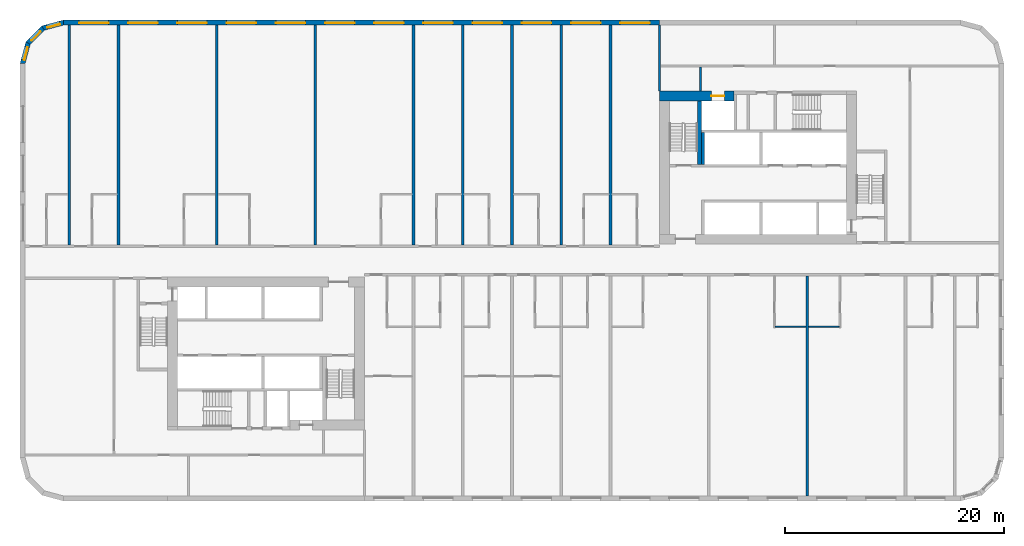
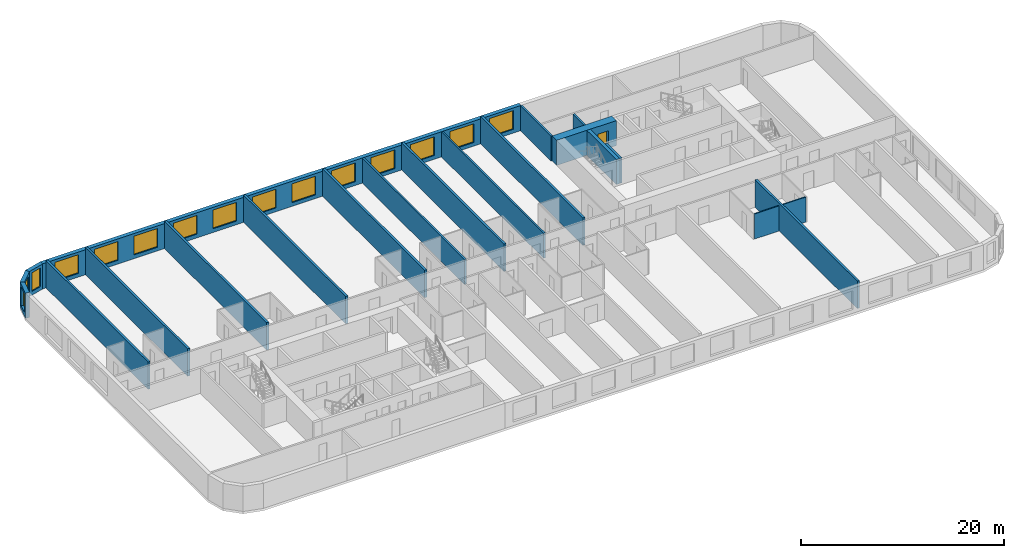
# One storey, part 6 of 12: 21 walls, 15 windows, 1 door, 16 openings.
"""IFC4 building model written with IfcOpenShell, lengths in metres."""

from ifc_helpers import new_model, si_unit, direction, frame, frame_2d, origin, place, context, subcontext, project, spatial, polyline, rectangle, outline, extrude, material, layer, layer_set, type_object, element, fill, save


model = new_model("IFC4")

# Units and contexts
model_context = context("Model", 3, precision=1e-05, world=origin(), true_north=direction((0.0, 1.0)))
body_context = subcontext(model_context, "Body", "Model", "MODEL_VIEW")
ifc_project = project(units=[si_unit("LENGTHUNIT", "METRE"), si_unit("AREAUNIT", "SQUARE_METRE"), si_unit("VOLUMEUNIT", "CUBIC_METRE"), si_unit("PLANEANGLEUNIT", "RADIAN"), si_unit("MASSUNIT", "GRAM", prefix="KILO")], contexts=[model_context])

# Site, building, storey
site_placement = place(None, origin())
site = spatial("IfcSite", under=ifc_project, at=site_placement, CompositionType="ELEMENT")
building_placement = place(site_placement, origin())
building = spatial("IfcBuilding", under=site, at=building_placement, Name="Kajstack Hotel Tower", CompositionType="ELEMENT")
storey_placement = place(building_placement, frame((0.0, 0.0, 93.0)))
storey = spatial("IfcBuildingStorey", under=building, at=storey_placement, Name="L19", CompositionType="ELEMENT", Elevation=93.0)

# Wall, opening, door
ifc_material_1 = material(Name="Concrete C60/75", Category="concrete")
ifc_layer_1 = layer(ifc_material_1, 0.89990234375)
ifc_layer_set_1 = layer_set([ifc_layer_1], Name="Core wall 900")
wall_type_1 = type_object("IfcWallType", Name="Core wall 900", PredefinedType="SHEAR", material=ifc_layer_set_1)
wall_1_placement = place(storey_placement, frame((13.5, 15.050048828125, 0.0), z_axis=(0.0, 0.0, 1.0), x_axis=(1.0, 0.0, 0.0)))
wall_1 = element("IfcWall", 1, at=wall_1_placement, inside=storey, type_object=wall_type_1, Name="Core wall E RS", PredefinedType="SHEAR", context=body_context, shape_type="SweptSolid", body=[
    extrude(rectangle(XDim=6.800048828125, YDim=0.89990234375, at=frame_2d((3.39990234375, 0.0))), origin(), (0.0, 0.0, 1.0), 3.02001953125),
])
opening_1_placement = place(wall_1_placement, frame((4.72509765625, 0.0, 0.0)))
opening_1 = element("IfcOpeningElement", 2, at=opening_1_placement, cuts=wall_1, Name="Opening LD-SV2", PredefinedType="OPENING", context=body_context, shape_type="SweptSolid", body=[
    extrude(rectangle(XDim=1.199951171875, YDim=2.10009765625, at=frame_2d((0.60009765625, 1.050048828125))), frame((0.0, 0.4599609375, 0.0), z_axis=(0.0, -1.0, 0.0), x_axis=(1.0, 0.0, 0.0)), (0.0, 0.0, 1.0), 0.919921875),
])
ifc_material_2 = material(Name="Stainless steel", Category="steel")
door_type = type_object("IfcDoorType", Name="Lift landing door 1200", OperationType="SLIDING_TO_LEFT", PredefinedType="DOOR", material=ifc_material_2)
door_placement = place(opening_1_placement, origin())
door = element("IfcDoor", 3, at=door_placement, inside=storey, type_object=door_type, Name="Landing door SV2", OperationType="SLIDING_TO_LEFT", OverallHeight=2.10009765625, OverallWidth=1.199951171875, PredefinedType="DOOR", context=body_context, shape_type="SweptSolid", body=[
    extrude(rectangle(XDim=1.199951171875, YDim=2.10009765625, at=frame_2d((0.60009765625, 1.050048828125))), frame((0.0, 0.02490234375, 0.0), z_axis=(0.0, -1.0, 0.0), x_axis=(1.0, 0.0, 0.0)), (0.0, 0.0, 1.0), 0.050048828125),
])
fill(opening_1, door)

# Walls
ifc_material_3 = material(Name="Twin-frame gypsum board on steel studs, mineral wool", Category="steel")
ifc_layer_2 = layer(ifc_material_3, 0.199951171875)
ifc_layer_set_2 = layer_set([ifc_layer_2], Name="Demising wall 200")
wall_type_2 = type_object("IfcWallType", Name="Demising wall 200", PredefinedType="PARTITIONING", material=ifc_layer_set_2)
wall_2_placement = place(storey_placement, frame((13.5, 15.5, 0.0), z_axis=(0.0, 0.0, 1.0), x_axis=(0.0, 1.0, 0.0)))
element("IfcWall", 4, at=wall_2_placement, inside=storey, type_object=wall_type_2, Name="G-wall-L19-001", PredefinedType="PARTITIONING", context=body_context, shape_type="SweptSolid", body=[
    extrude(rectangle(XDim=6.050048828125, YDim=0.199951171875, at=frame_2d((3.02490234375, 0.0))), origin(), (0.0, 0.0, 1.0), 3.02001953125),
])
for number, where, z_axis, x_axis, name in (
    (5, (-4.5, 1.39990234375, 0.0), (0.0, 0.0, 1.0), (0.0, 1.0, 0.0), "G-wall-L19-014"),
    (6, (4.5, 1.39990234375, 0.0), (0.0, 0.0, 1.0), (0.0, 1.0, 0.0), "G-wall-L19-019"),
):
    element("IfcWall", number, at=place(storey_placement, frame(where, z_axis=z_axis, x_axis=x_axis)), inside=storey, type_object=wall_type_2, Name=name, PredefinedType="PARTITIONING", context=body_context, shape_type="SweptSolid", body=[
        extrude(rectangle(XDim=20.150146484375, YDim=0.199951171875, at=frame_2d((10.0751953125, 0.0))), origin(), (0.0, 0.0, 1.0), 3.02001953125),
    ])

# Wall, openings, windows
ifc_material_4 = material(Name="Terracotta-faced brick masonry", Category="masonry")
ifc_layer_3 = layer(ifc_material_4, 0.449951171875)
ifc_layer_set_3 = layer_set([ifc_layer_3], Name="EW-TERRA")
wall_type_3 = type_object("IfcWallType", Name="EW-TERRA", PredefinedType="SOLIDWALL", material=ifc_layer_set_3)
wall_3_placement = place(storey_placement, frame((13.5, 21.77490234375, 0.0), z_axis=(0.0, 0.0, 1.0), x_axis=(-1.0, 0.0, 0.0)))
wall_3 = element("IfcWall", 7, at=wall_3_placement, inside=storey, type_object=wall_type_3, Name="E-wall-L19-11-02", PredefinedType="SOLIDWALL", context=body_context, shape_type="SweptSolid", body=[
    extrude(rectangle(XDim=54.5, YDim=0.449951171875, at=frame_2d((27.25, 0.0))), origin(), (0.0, 0.0, 1.0), 3.02001953125),
])
opening_2_placement = place(wall_3_placement, frame((0.89990234375, 0.0, 0.449951171875)))
opening_2 = element("IfcOpeningElement", 8, at=opening_2_placement, cuts=wall_3, Name="Opening W1", PredefinedType="OPENING", context=body_context, shape_type="SweptSolid", body=[
    extrude(rectangle(XDim=2.699951171875, YDim=2.25, at=frame_2d((1.35009765625, 1.125))), frame((0.0, 0.23486328125, 0.0), z_axis=(0.0, -1.0, 0.0), x_axis=(1.0, 0.0, 0.0)), (0.0, 0.0, 1.0), 0.469970703125),
])
opening_3_placement = place(wall_3_placement, frame((5.39990234375, 0.0, 0.449951171875)))
opening_3 = element("IfcOpeningElement", 9, at=opening_3_placement, cuts=wall_3, Name="Opening W1", PredefinedType="OPENING", context=body_context, shape_type="SweptSolid", body=[
    extrude(rectangle(XDim=2.699951171875, YDim=2.25, at=frame_2d((1.35009765625, 1.125))), frame((0.0, 0.23486328125, 0.0), z_axis=(0.0, -1.0, 0.0), x_axis=(1.0, 0.0, 0.0)), (0.0, 0.0, 1.0), 0.469970703125),
])
opening_4_placement = place(wall_3_placement, frame((9.89990234375, 0.0, 0.449951171875)))
opening_4 = element("IfcOpeningElement", 10, at=opening_4_placement, cuts=wall_3, Name="Opening W1", PredefinedType="OPENING", context=body_context, shape_type="SweptSolid", body=[
    extrude(rectangle(XDim=2.699951171875, YDim=2.25, at=frame_2d((1.35009765625, 1.125))), frame((0.0, 0.23486328125, 0.0), z_axis=(0.0, -1.0, 0.0), x_axis=(1.0, 0.0, 0.0)), (0.0, 0.0, 1.0), 0.469970703125),
])
opening_5_placement = place(wall_3_placement, frame((14.39990234375, 0.0, 0.449951171875)))
opening_5 = element("IfcOpeningElement", 11, at=opening_5_placement, cuts=wall_3, Name="Opening W1", PredefinedType="OPENING", context=body_context, shape_type="SweptSolid", body=[
    extrude(rectangle(XDim=2.699951171875, YDim=2.25, at=frame_2d((1.35009765625, 1.125))), frame((0.0, 0.23486328125, 0.0), z_axis=(0.0, -1.0, 0.0), x_axis=(1.0, 0.0, 0.0)), (0.0, 0.0, 1.0), 0.469970703125),
])
opening_6_placement = place(wall_3_placement, frame((18.89990234375, 0.0, 0.449951171875)))
opening_6 = element("IfcOpeningElement", 12, at=opening_6_placement, cuts=wall_3, Name="Opening W1", PredefinedType="OPENING", context=body_context, shape_type="SweptSolid", body=[
    extrude(rectangle(XDim=2.699951171875, YDim=2.25, at=frame_2d((1.35009765625, 1.125))), frame((0.0, 0.23486328125, 0.0), z_axis=(0.0, -1.0, 0.0), x_axis=(1.0, 0.0, 0.0)), (0.0, 0.0, 1.0), 0.469970703125),
])
opening_7_placement = place(wall_3_placement, frame((23.39990234375, 0.0, 0.449951171875)))
opening_7 = element("IfcOpeningElement", 13, at=opening_7_placement, cuts=wall_3, Name="Opening W1", PredefinedType="OPENING", context=body_context, shape_type="SweptSolid", body=[
    extrude(rectangle(XDim=2.699951171875, YDim=2.25, at=frame_2d((1.35009765625, 1.125))), frame((0.0, 0.23486328125, 0.0), z_axis=(0.0, -1.0, 0.0), x_axis=(1.0, 0.0, 0.0)), (0.0, 0.0, 1.0), 0.469970703125),
])
opening_8_placement = place(wall_3_placement, frame((27.89990234375, 0.0, 0.449951171875)))
opening_8 = element("IfcOpeningElement", 14, at=opening_8_placement, cuts=wall_3, Name="Opening W1", PredefinedType="OPENING", context=body_context, shape_type="SweptSolid", body=[
    extrude(rectangle(XDim=2.699951171875, YDim=2.25, at=frame_2d((1.35009765625, 1.125))), frame((0.0, 0.23486328125, 0.0), z_axis=(0.0, -1.0, 0.0), x_axis=(1.0, 0.0, 0.0)), (0.0, 0.0, 1.0), 0.469970703125),
])
opening_9_placement = place(wall_3_placement, frame((32.39990234375, 0.0, 0.449951171875)))
opening_9 = element("IfcOpeningElement", 15, at=opening_9_placement, cuts=wall_3, Name="Opening W1", PredefinedType="OPENING", context=body_context, shape_type="SweptSolid", body=[
    extrude(rectangle(XDim=2.699951171875, YDim=2.25, at=frame_2d((1.35009765625, 1.125))), frame((0.0, 0.23486328125, 0.0), z_axis=(0.0, -1.0, 0.0), x_axis=(1.0, 0.0, 0.0)), (0.0, 0.0, 1.0), 0.469970703125),
])
opening_10_placement = place(wall_3_placement, frame((36.89990234375, 0.0, 0.449951171875)))
opening_10 = element("IfcOpeningElement", 16, at=opening_10_placement, cuts=wall_3, Name="Opening W1", PredefinedType="OPENING", context=body_context, shape_type="SweptSolid", body=[
    extrude(rectangle(XDim=2.699951171875, YDim=2.25, at=frame_2d((1.35009765625, 1.125))), frame((0.0, 0.23486328125, 0.0), z_axis=(0.0, -1.0, 0.0), x_axis=(1.0, 0.0, 0.0)), (0.0, 0.0, 1.0), 0.469970703125),
])
opening_11_placement = place(wall_3_placement, frame((41.39990234375, 0.0, 0.449951171875)))
opening_11 = element("IfcOpeningElement", 17, at=opening_11_placement, cuts=wall_3, Name="Opening W1", PredefinedType="OPENING", context=body_context, shape_type="SweptSolid", body=[
    extrude(rectangle(XDim=2.699951171875, YDim=2.25, at=frame_2d((1.35009765625, 1.125))), frame((0.0, 0.23486328125, 0.0), z_axis=(0.0, -1.0, 0.0), x_axis=(1.0, 0.0, 0.0)), (0.0, 0.0, 1.0), 0.469970703125),
])
opening_12_placement = place(wall_3_placement, frame((45.89990234375, 0.0, 0.449951171875)))
opening_12 = element("IfcOpeningElement", 18, at=opening_12_placement, cuts=wall_3, Name="Opening W1", PredefinedType="OPENING", context=body_context, shape_type="SweptSolid", body=[
    extrude(rectangle(XDim=2.699951171875, YDim=2.25, at=frame_2d((1.35009765625, 1.125))), frame((0.0, 0.23486328125, 0.0), z_axis=(0.0, -1.0, 0.0), x_axis=(1.0, 0.0, 0.0)), (0.0, 0.0, 1.0), 0.469970703125),
])
opening_13_placement = place(wall_3_placement, frame((50.39990234375, 0.0, 0.449951171875)))
opening_13 = element("IfcOpeningElement", 19, at=opening_13_placement, cuts=wall_3, Name="Opening W1", PredefinedType="OPENING", context=body_context, shape_type="SweptSolid", body=[
    extrude(rectangle(XDim=2.699951171875, YDim=2.25, at=frame_2d((1.35009765625, 1.125))), frame((0.0, 0.23486328125, 0.0), z_axis=(0.0, -1.0, 0.0), x_axis=(1.0, 0.0, 0.0)), (0.0, 0.0, 1.0), 0.469970703125),
])
ifc_material_5 = material(Name="Timber-aluminium window, triple glazed", Category="wood")
window_type_1 = type_object("IfcWindowType", Name="WG1", PartitioningType="SINGLE_PANEL", PredefinedType="WINDOW", material=ifc_material_5)
window_1_placement = place(opening_2_placement, origin())
window_1 = element("IfcWindow", 20, at=window_1_placement, inside=storey, type_object=window_type_1, Name="Window W1 L19-11", OverallHeight=2.25, OverallWidth=2.699951171875, PartitioningType="SINGLE_PANEL", PredefinedType="WINDOW", context=body_context, shape_type="SweptSolid", body=[
    extrude(rectangle(XDim=2.699951171875, YDim=2.25, at=frame_2d((1.35009765625, 1.125))), frame((0.0, 0.090087890625, 0.0), z_axis=(0.0, -1.0, 0.0), x_axis=(1.0, 0.0, 0.0)), (0.0, 0.0, 1.0), 0.06005859375),
])
fill(opening_2, window_1)
window_2_placement = place(opening_3_placement, origin())
window_2 = element("IfcWindow", 21, at=window_2_placement, inside=storey, type_object=window_type_1, Name="Window W1 L19-11", OverallHeight=2.25, OverallWidth=2.699951171875, PartitioningType="SINGLE_PANEL", PredefinedType="WINDOW", context=body_context, shape_type="SweptSolid", body=[
    extrude(rectangle(XDim=2.699951171875, YDim=2.25, at=frame_2d((1.35009765625, 1.125))), frame((0.0, 0.090087890625, 0.0), z_axis=(0.0, -1.0, 0.0), x_axis=(1.0, 0.0, 0.0)), (0.0, 0.0, 1.0), 0.06005859375),
])
fill(opening_3, window_2)
window_3_placement = place(opening_4_placement, origin())
window_3 = element("IfcWindow", 22, at=window_3_placement, inside=storey, type_object=window_type_1, Name="Window W1 L19-11", OverallHeight=2.25, OverallWidth=2.699951171875, PartitioningType="SINGLE_PANEL", PredefinedType="WINDOW", context=body_context, shape_type="SweptSolid", body=[
    extrude(rectangle(XDim=2.699951171875, YDim=2.25, at=frame_2d((1.35009765625, 1.125))), frame((0.0, 0.090087890625, 0.0), z_axis=(0.0, -1.0, 0.0), x_axis=(1.0, 0.0, 0.0)), (0.0, 0.0, 1.0), 0.06005859375),
])
fill(opening_4, window_3)
window_4_placement = place(opening_5_placement, origin())
window_4 = element("IfcWindow", 23, at=window_4_placement, inside=storey, type_object=window_type_1, Name="Window W1 L19-11", OverallHeight=2.25, OverallWidth=2.699951171875, PartitioningType="SINGLE_PANEL", PredefinedType="WINDOW", context=body_context, shape_type="SweptSolid", body=[
    extrude(rectangle(XDim=2.699951171875, YDim=2.25, at=frame_2d((1.35009765625, 1.125))), frame((0.0, 0.090087890625, 0.0), z_axis=(0.0, -1.0, 0.0), x_axis=(1.0, 0.0, 0.0)), (0.0, 0.0, 1.0), 0.06005859375),
])
fill(opening_5, window_4)
window_5_placement = place(opening_6_placement, origin())
window_5 = element("IfcWindow", 24, at=window_5_placement, inside=storey, type_object=window_type_1, Name="Window W1 L19-11", OverallHeight=2.25, OverallWidth=2.699951171875, PartitioningType="SINGLE_PANEL", PredefinedType="WINDOW", context=body_context, shape_type="SweptSolid", body=[
    extrude(rectangle(XDim=2.699951171875, YDim=2.25, at=frame_2d((1.35009765625, 1.125))), frame((0.0, 0.090087890625, 0.0), z_axis=(0.0, -1.0, 0.0), x_axis=(1.0, 0.0, 0.0)), (0.0, 0.0, 1.0), 0.06005859375),
])
fill(opening_6, window_5)
window_6_placement = place(opening_7_placement, origin())
window_6 = element("IfcWindow", 25, at=window_6_placement, inside=storey, type_object=window_type_1, Name="Window W1 L19-11", OverallHeight=2.25, OverallWidth=2.699951171875, PartitioningType="SINGLE_PANEL", PredefinedType="WINDOW", context=body_context, shape_type="SweptSolid", body=[
    extrude(rectangle(XDim=2.699951171875, YDim=2.25, at=frame_2d((1.35009765625, 1.125))), frame((0.0, 0.090087890625, 0.0), z_axis=(0.0, -1.0, 0.0), x_axis=(1.0, 0.0, 0.0)), (0.0, 0.0, 1.0), 0.06005859375),
])
fill(opening_7, window_6)
window_7_placement = place(opening_8_placement, origin())
window_7 = element("IfcWindow", 26, at=window_7_placement, inside=storey, type_object=window_type_1, Name="Window W1 L19-11", OverallHeight=2.25, OverallWidth=2.699951171875, PartitioningType="SINGLE_PANEL", PredefinedType="WINDOW", context=body_context, shape_type="SweptSolid", body=[
    extrude(rectangle(XDim=2.699951171875, YDim=2.25, at=frame_2d((1.35009765625, 1.125))), frame((0.0, 0.090087890625, 0.0), z_axis=(0.0, -1.0, 0.0), x_axis=(1.0, 0.0, 0.0)), (0.0, 0.0, 1.0), 0.06005859375),
])
fill(opening_8, window_7)
window_8_placement = place(opening_9_placement, origin())
window_8 = element("IfcWindow", 27, at=window_8_placement, inside=storey, type_object=window_type_1, Name="Window W1 L19-11", OverallHeight=2.25, OverallWidth=2.699951171875, PartitioningType="SINGLE_PANEL", PredefinedType="WINDOW", context=body_context, shape_type="SweptSolid", body=[
    extrude(rectangle(XDim=2.699951171875, YDim=2.25, at=frame_2d((1.35009765625, 1.125))), frame((0.0, 0.090087890625, 0.0), z_axis=(0.0, -1.0, 0.0), x_axis=(1.0, 0.0, 0.0)), (0.0, 0.0, 1.0), 0.06005859375),
])
fill(opening_9, window_8)
window_9_placement = place(opening_10_placement, origin())
window_9 = element("IfcWindow", 28, at=window_9_placement, inside=storey, type_object=window_type_1, Name="Window W1 L19-11", OverallHeight=2.25, OverallWidth=2.699951171875, PartitioningType="SINGLE_PANEL", PredefinedType="WINDOW", context=body_context, shape_type="SweptSolid", body=[
    extrude(rectangle(XDim=2.699951171875, YDim=2.25, at=frame_2d((1.35009765625, 1.125))), frame((0.0, 0.090087890625, 0.0), z_axis=(0.0, -1.0, 0.0), x_axis=(1.0, 0.0, 0.0)), (0.0, 0.0, 1.0), 0.06005859375),
])
fill(opening_10, window_9)
window_10_placement = place(opening_11_placement, origin())
window_10 = element("IfcWindow", 29, at=window_10_placement, inside=storey, type_object=window_type_1, Name="Window W1 L19-11", OverallHeight=2.25, OverallWidth=2.699951171875, PartitioningType="SINGLE_PANEL", PredefinedType="WINDOW", context=body_context, shape_type="SweptSolid", body=[
    extrude(rectangle(XDim=2.699951171875, YDim=2.25, at=frame_2d((1.35009765625, 1.125))), frame((0.0, 0.090087890625, 0.0), z_axis=(0.0, -1.0, 0.0), x_axis=(1.0, 0.0, 0.0)), (0.0, 0.0, 1.0), 0.06005859375),
])
fill(opening_11, window_10)
window_11_placement = place(opening_12_placement, origin())
window_11 = element("IfcWindow", 30, at=window_11_placement, inside=storey, type_object=window_type_1, Name="Window W1 L19-11", OverallHeight=2.25, OverallWidth=2.699951171875, PartitioningType="SINGLE_PANEL", PredefinedType="WINDOW", context=body_context, shape_type="SweptSolid", body=[
    extrude(rectangle(XDim=2.699951171875, YDim=2.25, at=frame_2d((1.35009765625, 1.125))), frame((0.0, 0.090087890625, 0.0), z_axis=(0.0, -1.0, 0.0), x_axis=(1.0, 0.0, 0.0)), (0.0, 0.0, 1.0), 0.06005859375),
])
fill(opening_12, window_11)
window_12_placement = place(opening_13_placement, origin())
window_12 = element("IfcWindow", 31, at=window_12_placement, inside=storey, type_object=window_type_1, Name="Window W1 L19-11", OverallHeight=2.25, OverallWidth=2.699951171875, PartitioningType="SINGLE_PANEL", PredefinedType="WINDOW", context=body_context, shape_type="SweptSolid", body=[
    extrude(rectangle(XDim=2.699951171875, YDim=2.25, at=frame_2d((1.35009765625, 1.125))), frame((0.0, 0.090087890625, 0.0), z_axis=(0.0, -1.0, 0.0), x_axis=(1.0, 0.0, 0.0)), (0.0, 0.0, 1.0), 0.06005859375),
])
fill(opening_13, window_12)

# Wall, opening, window
wall_4_placement = place(storey_placement, frame((-40.941650390625, 21.78271484375, 0.0), z_axis=(0.0, 0.0, 1.0), x_axis=(-0.965926999034, -0.25881466832, 0.0)))
wall_4 = element("IfcWall", 32, at=wall_4_placement, inside=storey, type_object=wall_type_3, Name="E-wall-L19-12-00", PredefinedType="SOLIDWALL", context=body_context, shape_type="SweptSolid", body=[
    extrude(outline(polyline([(0.000244140625, -0.22509765625), (2.070556640625, -0.224853515625), (1.9501953125, 0.22509765625), (0.12060546875, 0.22509765625), (0.000244140625, -0.22509765625)])), origin(), (0.0, 0.0, 1.0), 3.02001953125),
])
opening_14_placement = place(wall_4_placement, frame((0.435302734375, 0.0, 0.449951171875)))
opening_14 = element("IfcOpeningElement", 33, at=opening_14_placement, cuts=wall_4, Name="Opening W3", PredefinedType="OPENING", context=body_context, shape_type="SweptSolid", body=[
    extrude(rectangle(XDim=1.199951171875, YDim=2.25, at=frame_2d((0.60009765625, 1.125))), frame((0.0, 0.23486328125, 0.0), z_axis=(0.0, -1.0, 0.0), x_axis=(1.0, 0.0, 0.0)), (0.0, 0.0, 1.0), 0.469970703125),
])
window_type_2 = type_object("IfcWindowType", Name="WG3", PartitioningType="SINGLE_PANEL", PredefinedType="WINDOW", material=ifc_material_5)
window_13_placement = place(opening_14_placement, origin())
window_13 = element("IfcWindow", 34, at=window_13_placement, inside=storey, type_object=window_type_2, Name="Window W3 L19-12", OverallHeight=2.25, OverallWidth=1.199951171875, PartitioningType="SINGLE_PANEL", PredefinedType="WINDOW", context=body_context, shape_type="SweptSolid", body=[
    extrude(rectangle(XDim=1.199951171875, YDim=2.25, at=frame_2d((0.60009765625, 1.125))), frame((0.0, 0.090087890625, 0.0), z_axis=(0.0, -1.0, 0.0), x_axis=(1.0, 0.0, 0.0)), (0.0, 0.0, 1.0), 0.06005859375),
])
fill(opening_14, window_13)

wall_5_placement = place(storey_placement, frame((-42.8408203125, 21.304931640625, 0.0), z_axis=(0.0, 0.0, 1.0), x_axis=(-0.707106781187, -0.707106781187, 0.0)))
wall_5 = element("IfcWall", 35, at=wall_5_placement, inside=storey, type_object=wall_type_3, Name="E-wall-L19-13-00", PredefinedType="SOLIDWALL", context=body_context, shape_type="SweptSolid", body=[
    extrude(outline(polyline([(0.0, -0.22509765625), (2.070556640625, -0.22509765625), (1.949951171875, 0.224853515625), (0.12060546875, 0.224853515625), (0.0, -0.22509765625)])), origin(), (0.0, 0.0, 1.0), 3.02001953125),
])
opening_15_placement = place(wall_5_placement, frame((0.435302734375, 0.0, 0.449951171875)))
opening_15 = element("IfcOpeningElement", 36, at=opening_15_placement, cuts=wall_5, Name="Opening W3", PredefinedType="OPENING", context=body_context, shape_type="SweptSolid", body=[
    extrude(rectangle(XDim=1.199951171875, YDim=2.25, at=frame_2d((0.60009765625, 1.125))), frame((0.0, 0.23486328125, 0.0), z_axis=(0.0, -1.0, 0.0), x_axis=(1.0, 0.0, 0.0)), (0.0, 0.0, 1.0), 0.469970703125),
])
window_14_placement = place(opening_15_placement, origin())
window_14 = element("IfcWindow", 37, at=window_14_placement, inside=storey, type_object=window_type_2, Name="Window W3 L19-13", OverallHeight=2.25, OverallWidth=1.199951171875, PartitioningType="SINGLE_PANEL", PredefinedType="WINDOW", context=body_context, shape_type="SweptSolid", body=[
    extrude(rectangle(XDim=1.199951171875, YDim=2.25, at=frame_2d((0.60009765625, 1.125))), frame((0.0, 0.090087890625, 0.0), z_axis=(0.0, -1.0, 0.0), x_axis=(1.0, 0.0, 0.0)), (0.0, 0.0, 1.0), 0.06005859375),
])
fill(opening_15, window_14)

wall_6_placement = place(storey_placement, frame((-44.246826171875, 19.941650390625, 0.0), z_axis=(0.0, 0.0, 1.0), x_axis=(-0.25881466832, -0.965926999034, 0.0)))
wall_6 = element("IfcWall", 38, at=wall_6_placement, inside=storey, type_object=wall_type_3, Name="E-wall-L19-14-00", PredefinedType="SOLIDWALL", context=body_context, shape_type="SweptSolid", body=[
    extrude(outline(polyline([(-0.000244140625, -0.224853515625), (2.0703125, -0.22509765625), (1.949951171875, 0.22509765625), (0.120361328125, 0.22509765625), (-0.000244140625, -0.224853515625)])), origin(), (0.0, 0.0, 1.0), 3.02001953125),
])
opening_16_placement = place(wall_6_placement, frame((0.435302734375, 0.0, 0.449951171875)))
opening_16 = element("IfcOpeningElement", 39, at=opening_16_placement, cuts=wall_6, Name="Opening W3", PredefinedType="OPENING", context=body_context, shape_type="SweptSolid", body=[
    extrude(rectangle(XDim=1.199951171875, YDim=2.25, at=frame_2d((0.60009765625, 1.125))), frame((0.0, 0.23486328125, 0.0), z_axis=(0.0, -1.0, 0.0), x_axis=(1.0, 0.0, 0.0)), (0.0, 0.0, 1.0), 0.469970703125),
])
window_15_placement = place(opening_16_placement, origin())
window_15 = element("IfcWindow", 40, at=window_15_placement, inside=storey, type_object=window_type_2, Name="Window W3 L19-14", OverallHeight=2.25, OverallWidth=1.199951171875, PartitioningType="SINGLE_PANEL", PredefinedType="WINDOW", context=body_context, shape_type="SweptSolid", body=[
    extrude(rectangle(XDim=1.199951171875, YDim=2.25, at=frame_2d((0.60009765625, 1.125))), frame((0.0, 0.090087890625, 0.0), z_axis=(0.0, -1.0, 0.0), x_axis=(1.0, 0.0, 0.0)), (0.0, 0.0, 1.0), 0.06005859375),
])
fill(opening_16, window_15)

# Walls
ifc_material_6 = material(Name="Gypsum board and tiled backer on steel studs", Category="steel")
ifc_layer_4 = layer(ifc_material_6, 0.125)
ifc_layer_set_4 = layer_set([ifc_layer_4], Name="En-suite wall 125")
wall_type_4 = type_object("IfcWallType", Name="En-suite wall 125", PredefinedType="PARTITIONING", material=ifc_layer_set_4)
for number, where, z_axis, x_axis, name in (
    (41, (24.074951171875, -6.06201171875, 0.0), (0.0, 0.0, 1.0), (1.0, 0.0, 0.0), "G-wall-L19-045"),
    (42, (27.125, -6.06201171875, 0.0), (0.0, 0.0, 1.0), (1.0, 0.0, 0.0), "G-wall-L19-047"),
):
    element("IfcWall", number, at=place(storey_placement, frame(where, z_axis=z_axis, x_axis=x_axis)), inside=storey, type_object=wall_type_4, Name=name, PredefinedType="PARTITIONING", context=body_context, shape_type="SweptSolid", body=[
        extrude(rectangle(XDim=2.800048828125, YDim=0.125, at=frame_2d((1.39990234375, 0.0))), origin(), (0.0, 0.0, 1.0), 3.02001953125),
    ])
ifc_layer_5 = layer(ifc_material_1, 0.25)
ifc_layer_set_5 = layer_set([ifc_layer_5], Name="RC cross wall 250 C60/75")
wall_type_5 = type_object("IfcWallType", Name="RC cross wall 250 C60/75", PredefinedType="SHEAR", material=ifc_layer_set_5)
for number, where, z_axis, x_axis, name in (
    (43, (-40.5, 1.39990234375, 0.0), (0.0, 0.0, 1.0), (0.0, 1.0, 0.0), "S-wall-L19-01"),
    (44, (-36.0, 1.39990234375, 0.0), (0.0, 0.0, 1.0), (0.0, 1.0, 0.0), "S-wall-L19-02"),
    (45, (-27.0, 1.39990234375, 0.0), (0.0, 0.0, 1.0), (0.0, 1.0, 0.0), "S-wall-L19-03"),
    (46, (-18.0, 1.39990234375, 0.0), (0.0, 0.0, 1.0), (0.0, 1.0, 0.0), "S-wall-L19-04"),
    (47, (-9.0, 1.39990234375, 0.0), (0.0, 0.0, 1.0), (0.0, 1.0, 0.0), "S-wall-L19-06"),
    (48, (0.0, 1.39990234375, 0.0), (0.0, 0.0, 1.0), (0.0, 1.0, 0.0), "S-wall-L19-08"),
    (49, (9.0, 1.39990234375, 0.0), (0.0, 0.0, 1.0), (0.0, 1.0, 0.0), "S-wall-L19-10"),
    (50, (27.0, -21.5400390625, 0.0), (0.0, 0.0, 1.0), (0.0, 1.0, 0.0), "S-wall-L19-12"),
):
    element("IfcWall", number, at=place(storey_placement, frame(where, z_axis=z_axis, x_axis=x_axis)), inside=storey, type_object=wall_type_5, Name=name, PredefinedType="SHEAR", context=body_context, shape_type="SweptSolid", body=[
        extrude(rectangle(XDim=20.14013671875, YDim=0.25, at=frame_2d((10.070068359375, 0.0))), origin(), (0.0, 0.0, 1.0), 3.300048828125),
    ])
ifc_material_7 = material(Name="Gypsum board on steel studs, mineral wool", Category="steel")
ifc_layer_6 = layer(ifc_material_7, 0.199951171875)
ifc_layer_set_6 = layer_set([ifc_layer_6], Name="Service partition 200")
wall_type_6 = type_object("IfcWallType", Name="Service partition 200", PredefinedType="PARTITIONING", material=ifc_layer_set_6)
wall_7_placement = place(storey_placement, frame((17.25, 15.5, 0.0), z_axis=(0.0, 0.0, 1.0), x_axis=(0.0, 1.0, 0.0)))
element("IfcWall", 51, at=wall_7_placement, inside=storey, type_object=wall_type_6, Name="Partition E SCE", PredefinedType="PARTITIONING", context=body_context, shape_type="SweptSolid", body=[
    extrude(rectangle(XDim=2.199951171875, YDim=0.199951171875, at=frame_2d((1.10009765625, 0.0))), origin(), (0.0, 0.0, 1.0), 3.02001953125),
])
ifc_material_8 = material(Name="Concrete C50/60", Category="concrete")
ifc_layer_7 = layer(ifc_material_8, 0.25)
ifc_layer_set_7 = layer_set([ifc_layer_7], Name="Shaft wall 250")
wall_type_7 = type_object("IfcWallType", Name="Shaft wall 250", PredefinedType="SHEAR", material=ifc_layer_set_7)
wall_8_placement = place(storey_placement, frame((17.47509765625, 8.800048828125, 0.0), z_axis=(0.0, 0.0, 1.0), x_axis=(0.0, 1.0, 0.0)))
element("IfcWall", 52, at=wall_8_placement, inside=storey, type_object=wall_type_7, Name="Core wall E BE", PredefinedType="SHEAR", context=body_context, shape_type="SweptSolid", body=[
    extrude(rectangle(XDim=2.89990234375, YDim=0.25, at=frame_2d((1.449951171875, 0.0))), origin(), (0.0, 0.0, 1.0), 3.02001953125),
])
ifc_layer_8 = layer(ifc_material_8, 0.39990234375)
ifc_layer_set_8 = layer_set([ifc_layer_8], Name="Stair wall 400")
wall_type_8 = type_object("IfcWallType", Name="Stair wall 400", PredefinedType="SHEAR", material=ifc_layer_set_8)
wall_9_placement = place(storey_placement, frame((17.14990234375, 8.800048828125, 0.0), z_axis=(0.0, 0.0, 1.0), x_axis=(0.0, 1.0, 0.0)))
element("IfcWall", 53, at=wall_9_placement, inside=storey, type_object=wall_type_8, Name="Core wall E WW2", PredefinedType="SHEAR", context=body_context, shape_type="SweptSolid", body=[
    extrude(rectangle(XDim=5.800048828125, YDim=0.39990234375, at=frame_2d((2.89990234375, 0.0))), origin(), (0.0, 0.0, 1.0), 3.02001953125),
])

save(model, "model.ifc")
